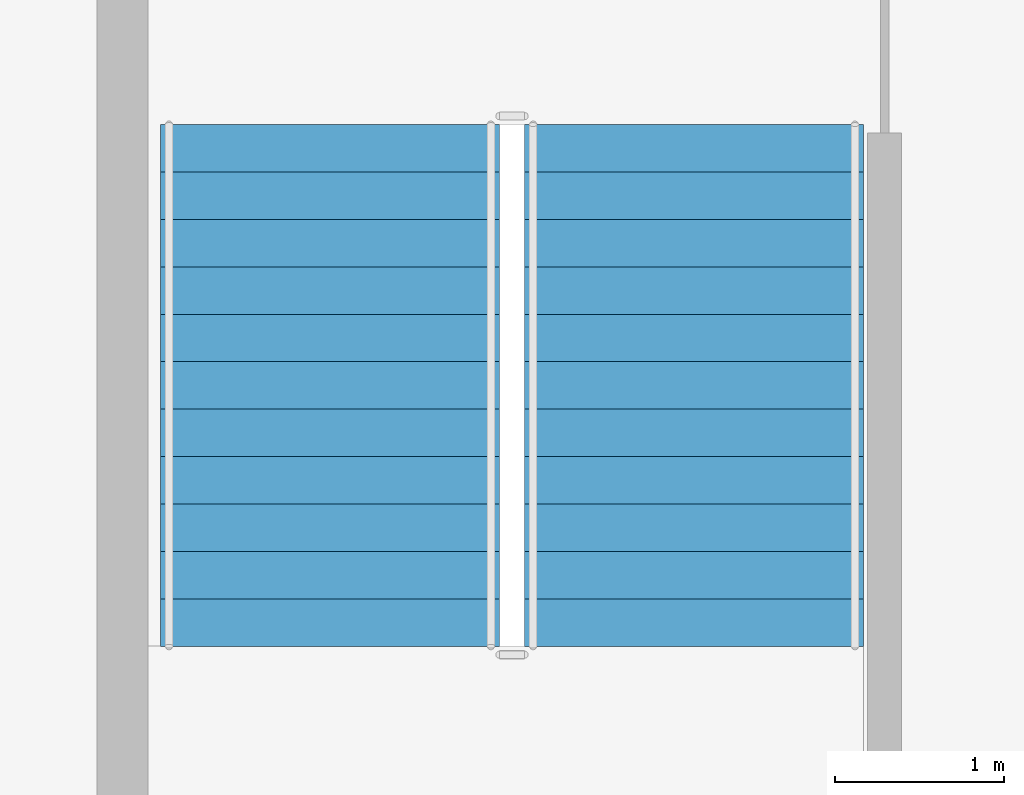
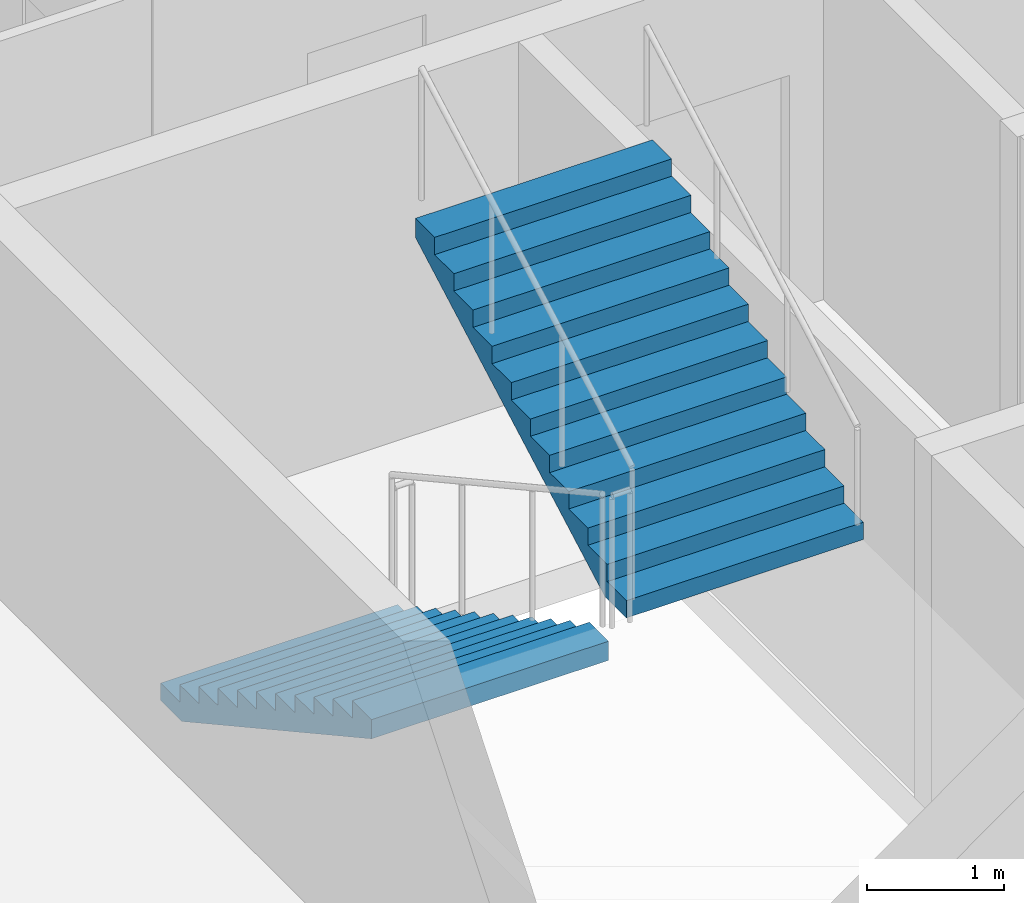
# One storey, part 7 of 11: 2 stair flights, 1 element without a shape of its own.
"""IFC4 building model written with IfcOpenShell, lengths in metres."""

from ifc_helpers import new_model, si_unit, direction, frame, origin, place, context, subcontext, project, spatial, polygons, material, type_object, element, aggregate, save


model = new_model("IFC4")

# Units and contexts
model_context = context("Model", 3, precision=1e-05, world=origin(), true_north=direction((0.0, 1.0)))
body_context = subcontext(model_context, "Body", "Model", "MODEL_VIEW")
ifc_project = project(units=[si_unit("LENGTHUNIT", "METRE"), si_unit("AREAUNIT", "SQUARE_METRE"), si_unit("VOLUMEUNIT", "CUBIC_METRE"), si_unit("PLANEANGLEUNIT", "RADIAN"), si_unit("MASSUNIT", "GRAM", prefix="KILO")], contexts=[model_context])

# Site, building, storey
site_placement = place(None, origin())
site = spatial("IfcSite", under=ifc_project, at=site_placement, CompositionType="ELEMENT")
building_placement = place(site_placement, origin())
building = spatial("IfcBuilding", under=site, at=building_placement, Name="Caravel Reach Hotel and Residences", CompositionType="ELEMENT")
storey_placement = place(building_placement, frame((0.0, 0.0, 301.89990234375)))
storey = spatial("IfcBuildingStorey", under=building, at=storey_placement, Name="L77", CompositionType="ELEMENT", Elevation=301.89990234375)

# Stair, stair flights
ifc_material_1 = material(Name="Concrete C40", Category="concrete")
stair_type = type_object("IfcStairType", Name="Core stair", PredefinedType="HALF_TURN_STAIR", material=ifc_material_1)
stair_placement = place(storey_placement, origin())
stair = element("IfcStair", 1, at=stair_placement, inside=storey, type_object=stair_type, Name="L77 Exit stair A", PredefinedType="HALF_TURN_STAIR")
ifc_material_2 = material(Name="Concrete C40", Category="concrete")
stair_flight_type = type_object("IfcStairFlightType", Name="Core stair flight", PredefinedType="STRAIGHT", material=ifc_material_2)
stair_flight_1_placement = place(storey_placement, frame((19.22509765625, 29.35009765625, 0.0), z_axis=(0.0, 0.0, 1.0), x_axis=(0.0, -1.0, 0.0)))
stair_flight_1 = element("IfcStairFlight", 2, at=stair_flight_1_placement, type_object=stair_flight_type, Name="ST-A flight 1", NumberOfRisers=12, NumberOfTreads=11, PredefinedType="STRAIGHT", RiserHeight=0.154166667, TreadLength=0.28, context=body_context, shape_type="Tessellation", body=[
    polygons([(0.3107950034306102, 1.0, 0.0), (0.3107950034306102, 0.6666666666666667, 0.0), (0.3107950034306102, 0.33333333333333337, 0.0), (0.3107950034306102, 0.0, 0.0), (0.3107950034306102, -0.33333333333333326, 0.0), (0.3107950034306102, -0.6666666666666667, 0.0), (0.3107950034306102, -1.0, 0.0), (3.081, 1.0, 1.524711087717319), (3.081, 0.6666666666666667, 1.524711087717319), (3.081, 0.33333333333333337, 1.524711087717319), (3.081, 0.0, 1.524711087717319), (3.081, -0.33333333333333326, 1.524711087717319), (3.081, -0.6666666666666667, 1.524711087717319), (3.081, -1.0, 1.524711087717319), (3.081, 1.0, 1.695833337), (3.081, 0.6666666666666667, 1.695833337), (3.081, 0.33333333333333337, 1.695833337), (3.081, 0.0, 1.695833337), (3.081, -0.33333333333333326, 1.695833337), (3.081, -0.6666666666666667, 1.695833337), (3.081, -1.0, 1.695833337), (2.8000000000000003, 1.0, 1.695833337), (2.8000000000000003, 0.6666666666666667, 1.695833337), (2.8000000000000003, 0.33333333333333337, 1.695833337), (2.8000000000000003, 0.0, 1.695833337), (2.8000000000000003, -0.33333333333333326, 1.695833337), (2.8000000000000003, -0.6666666666666667, 1.695833337), (2.8000000000000003, -1.0, 1.695833337), (2.8000000000000003, 1.0, 1.5416666700000001), (2.8000000000000003, 0.6666666666666667, 1.5416666700000001), (2.8000000000000003, 0.33333333333333337, 1.5416666700000001), (2.8000000000000003, 0.0, 1.5416666700000001), (2.8000000000000003, -0.33333333333333326, 1.5416666700000001), (2.8000000000000003, -0.6666666666666667, 1.5416666700000001), (2.8000000000000003, -1.0, 1.5416666700000001), (2.5200000000000005, 1.0, 1.5416666700000001), (2.5200000000000005, 0.6666666666666667, 1.5416666700000001), (2.5200000000000005, 0.33333333333333337, 1.5416666700000001), (2.5200000000000005, 0.0, 1.5416666700000001), (2.5200000000000005, -0.33333333333333326, 1.5416666700000001), (2.5200000000000005, -0.6666666666666667, 1.5416666700000001), (2.5200000000000005, -1.0, 1.5416666700000001), (2.5200000000000005, 1.0, 1.387500003), (2.5200000000000005, 0.6666666666666667, 1.387500003), (2.5200000000000005, 0.33333333333333337, 1.387500003), (2.5200000000000005, 0.0, 1.387500003), (2.5200000000000005, -0.33333333333333326, 1.387500003), (2.5200000000000005, -0.6666666666666667, 1.387500003), (2.5200000000000005, -1.0, 1.387500003), (2.24, 1.0, 1.387500003), (2.24, 0.6666666666666667, 1.387500003), (2.24, 0.33333333333333337, 1.387500003), (2.24, 0.0, 1.387500003), (2.24, -0.33333333333333326, 1.387500003), (2.24, -0.6666666666666667, 1.387500003), (2.24, -1.0, 1.387500003), (2.24, 1.0, 1.233333336), (2.24, 0.6666666666666667, 1.233333336), (2.24, 0.33333333333333337, 1.233333336), (2.24, 0.0, 1.233333336), (2.24, -0.33333333333333326, 1.233333336), (2.24, -0.6666666666666667, 1.233333336), (2.24, -1.0, 1.233333336), (1.9600000000000002, 1.0, 1.233333336), (1.9600000000000002, 0.6666666666666667, 1.233333336), (1.9600000000000002, 0.33333333333333337, 1.233333336), (1.9600000000000002, 0.0, 1.233333336), (1.9600000000000002, -0.33333333333333326, 1.233333336), (1.9600000000000002, -0.6666666666666667, 1.233333336), (1.9600000000000002, -1.0, 1.233333336), (1.9600000000000002, 1.0, 1.0791666690000001), (1.9600000000000002, 0.6666666666666667, 1.0791666690000001), (1.9600000000000002, 0.33333333333333337, 1.0791666690000001), (1.9600000000000002, 0.0, 1.0791666690000001), (1.9600000000000002, -0.33333333333333326, 1.0791666690000001), (1.9600000000000002, -0.6666666666666667, 1.0791666690000001), (1.9600000000000002, -1.0, 1.0791666690000001), (1.6800000000000002, 1.0, 1.0791666690000001), (1.6800000000000002, 0.6666666666666667, 1.0791666690000001), (1.6800000000000002, 0.33333333333333337, 1.0791666690000001), (1.6800000000000002, 0.0, 1.0791666690000001), (1.6800000000000002, -0.33333333333333326, 1.0791666690000001), (1.6800000000000002, -0.6666666666666667, 1.0791666690000001), (1.6800000000000002, -1.0, 1.0791666690000001), (1.6800000000000002, 1.0, 0.925000002), (1.6800000000000002, 0.6666666666666667, 0.925000002), (1.6800000000000002, 0.33333333333333337, 0.925000002), (1.6800000000000002, 0.0, 0.925000002), (1.6800000000000002, -0.33333333333333326, 0.925000002), (1.6800000000000002, -0.6666666666666667, 0.925000002), (1.6800000000000002, -1.0, 0.925000002), (1.4000000000000001, 1.0, 0.925000002), (1.4000000000000001, 0.6666666666666667, 0.925000002), (1.4000000000000001, 0.33333333333333337, 0.925000002), (1.4000000000000001, 0.0, 0.925000002), (1.4000000000000001, -0.33333333333333326, 0.925000002), (1.4000000000000001, -0.6666666666666667, 0.925000002), (1.4000000000000001, -1.0, 0.925000002), (1.4000000000000001, 1.0, 0.7708333350000001), (1.4000000000000001, 0.6666666666666667, 0.7708333350000001), (1.4000000000000001, 0.33333333333333337, 0.7708333350000001), (1.4000000000000001, 0.0, 0.7708333350000001), (1.4000000000000001, -0.33333333333333326, 0.7708333350000001), (1.4000000000000001, -0.6666666666666667, 0.7708333350000001), (1.4000000000000001, -1.0, 0.7708333350000001), (1.12, 1.0, 0.7708333350000001), (1.12, 0.6666666666666667, 0.7708333350000001), (1.12, 0.33333333333333337, 0.7708333350000001), (1.12, 0.0, 0.7708333350000001), (1.12, -0.33333333333333326, 0.7708333350000001), (1.12, -0.6666666666666667, 0.7708333350000001), (1.12, -1.0, 0.7708333350000001), (1.12, 1.0, 0.616666668), (1.12, 0.6666666666666667, 0.616666668), (1.12, 0.33333333333333337, 0.616666668), (1.12, 0.0, 0.616666668), (1.12, -0.33333333333333326, 0.616666668), (1.12, -0.6666666666666667, 0.616666668), (1.12, -1.0, 0.616666668), (0.8400000000000001, 1.0, 0.616666668), (0.8400000000000001, 0.6666666666666667, 0.616666668), (0.8400000000000001, 0.33333333333333337, 0.616666668), (0.8400000000000001, 0.0, 0.616666668), (0.8400000000000001, -0.33333333333333326, 0.616666668), (0.8400000000000001, -0.6666666666666667, 0.616666668), (0.8400000000000001, -1.0, 0.616666668), (0.8400000000000001, 1.0, 0.462500001), (0.8400000000000001, 0.6666666666666667, 0.462500001), (0.8400000000000001, 0.33333333333333337, 0.462500001), (0.8400000000000001, 0.0, 0.462500001), (0.8400000000000001, -0.33333333333333326, 0.462500001), (0.8400000000000001, -0.6666666666666667, 0.462500001), (0.8400000000000001, -1.0, 0.462500001), (0.56, 1.0, 0.462500001), (0.56, 0.6666666666666667, 0.462500001), (0.56, 0.33333333333333337, 0.462500001), (0.56, 0.0, 0.462500001), (0.56, -0.33333333333333326, 0.462500001), (0.56, -0.6666666666666667, 0.462500001), (0.56, -1.0, 0.462500001), (0.56, 1.0, 0.308333334), (0.56, 0.6666666666666667, 0.308333334), (0.56, 0.33333333333333337, 0.308333334), (0.56, 0.0, 0.308333334), (0.56, -0.33333333333333326, 0.308333334), (0.56, -0.6666666666666667, 0.308333334), (0.56, -1.0, 0.308333334), (0.28, 1.0, 0.308333334), (0.28, 0.6666666666666667, 0.308333334), (0.28, 0.33333333333333337, 0.308333334), (0.28, 0.0, 0.308333334), (0.28, -0.33333333333333326, 0.308333334), (0.28, -0.6666666666666667, 0.308333334), (0.28, -1.0, 0.308333334), (0.28, 1.0, 0.154166667), (0.28, 0.6666666666666667, 0.154166667), (0.28, 0.33333333333333337, 0.154166667), (0.28, 0.0, 0.154166667), (0.28, -0.33333333333333326, 0.154166667), (0.28, -0.6666666666666667, 0.154166667), (0.28, -1.0, 0.154166667), (-0.001, 1.0, 0.154166667), (-0.001, 0.6666666666666667, 0.154166667), (-0.001, 0.33333333333333337, 0.154166667), (-0.001, 0.0, 0.154166667), (-0.001, -0.33333333333333326, 0.154166667), (-0.001, -0.6666666666666667, 0.154166667), (-0.001, -1.0, 0.154166667), (-0.001, 1.0, 0.0), (-0.001, 0.6666666666666667, 0.0), (-0.001, 0.33333333333333337, 0.0), (-0.001, 0.0, 0.0), (-0.001, -0.33333333333333326, 0.0), (-0.001, -0.6666666666666667, 0.0), (-0.001, -1.0, 0.0)], [[[169, 162, 155, 148, 141, 134, 127, 120, 113, 106, 99, 92, 85, 78, 71, 64, 57, 50, 43, 36, 29, 22, 15, 8, 1]], [[7, 14, 21, 28, 35, 42, 49, 56, 63, 70, 77, 84, 91, 98, 105, 112, 119, 126, 133, 140, 147, 154, 161, 168, 175]], [[1, 8, 9, 2]], [[2, 9, 10, 3]], [[3, 10, 11, 4]], [[4, 11, 12, 5]], [[5, 12, 13, 6]], [[6, 13, 14, 7]], [[8, 15, 16, 9]], [[9, 16, 17, 10]], [[10, 17, 18, 11]], [[11, 18, 19, 12]], [[12, 19, 20, 13]], [[13, 20, 21, 14]], [[15, 22, 23, 16]], [[16, 23, 24, 17]], [[17, 24, 25, 18]], [[18, 25, 26, 19]], [[19, 26, 27, 20]], [[20, 27, 28, 21]], [[22, 29, 30, 23]], [[23, 30, 31, 24]], [[24, 31, 32, 25]], [[25, 32, 33, 26]], [[26, 33, 34, 27]], [[27, 34, 35, 28]], [[29, 36, 37, 30]], [[30, 37, 38, 31]], [[31, 38, 39, 32]], [[32, 39, 40, 33]], [[33, 40, 41, 34]], [[34, 41, 42, 35]], [[36, 43, 44, 37]], [[37, 44, 45, 38]], [[38, 45, 46, 39]], [[39, 46, 47, 40]], [[40, 47, 48, 41]], [[41, 48, 49, 42]], [[43, 50, 51, 44]], [[44, 51, 52, 45]], [[45, 52, 53, 46]], [[46, 53, 54, 47]], [[47, 54, 55, 48]], [[48, 55, 56, 49]], [[50, 57, 58, 51]], [[51, 58, 59, 52]], [[52, 59, 60, 53]], [[53, 60, 61, 54]], [[54, 61, 62, 55]], [[55, 62, 63, 56]], [[57, 64, 65, 58]], [[58, 65, 66, 59]], [[59, 66, 67, 60]], [[60, 67, 68, 61]], [[61, 68, 69, 62]], [[62, 69, 70, 63]], [[64, 71, 72, 65]], [[65, 72, 73, 66]], [[66, 73, 74, 67]], [[67, 74, 75, 68]], [[68, 75, 76, 69]], [[69, 76, 77, 70]], [[71, 78, 79, 72]], [[72, 79, 80, 73]], [[73, 80, 81, 74]], [[74, 81, 82, 75]], [[75, 82, 83, 76]], [[76, 83, 84, 77]], [[78, 85, 86, 79]], [[79, 86, 87, 80]], [[80, 87, 88, 81]], [[81, 88, 89, 82]], [[82, 89, 90, 83]], [[83, 90, 91, 84]], [[85, 92, 93, 86]], [[86, 93, 94, 87]], [[87, 94, 95, 88]], [[88, 95, 96, 89]], [[89, 96, 97, 90]], [[90, 97, 98, 91]], [[92, 99, 100, 93]], [[93, 100, 101, 94]], [[94, 101, 102, 95]], [[95, 102, 103, 96]], [[96, 103, 104, 97]], [[97, 104, 105, 98]], [[99, 106, 107, 100]], [[100, 107, 108, 101]], [[101, 108, 109, 102]], [[102, 109, 110, 103]], [[103, 110, 111, 104]], [[104, 111, 112, 105]], [[106, 113, 114, 107]], [[107, 114, 115, 108]], [[108, 115, 116, 109]], [[109, 116, 117, 110]], [[110, 117, 118, 111]], [[111, 118, 119, 112]], [[113, 120, 121, 114]], [[114, 121, 122, 115]], [[115, 122, 123, 116]], [[116, 123, 124, 117]], [[117, 124, 125, 118]], [[118, 125, 126, 119]], [[120, 127, 128, 121]], [[121, 128, 129, 122]], [[122, 129, 130, 123]], [[123, 130, 131, 124]], [[124, 131, 132, 125]], [[125, 132, 133, 126]], [[127, 134, 135, 128]], [[128, 135, 136, 129]], [[129, 136, 137, 130]], [[130, 137, 138, 131]], [[131, 138, 139, 132]], [[132, 139, 140, 133]], [[134, 141, 142, 135]], [[135, 142, 143, 136]], [[136, 143, 144, 137]], [[137, 144, 145, 138]], [[138, 145, 146, 139]], [[139, 146, 147, 140]], [[141, 148, 149, 142]], [[142, 149, 150, 143]], [[143, 150, 151, 144]], [[144, 151, 152, 145]], [[145, 152, 153, 146]], [[146, 153, 154, 147]], [[148, 155, 156, 149]], [[149, 156, 157, 150]], [[150, 157, 158, 151]], [[151, 158, 159, 152]], [[152, 159, 160, 153]], [[153, 160, 161, 154]], [[155, 162, 163, 156]], [[156, 163, 164, 157]], [[157, 164, 165, 158]], [[158, 165, 166, 159]], [[159, 166, 167, 160]], [[160, 167, 168, 161]], [[162, 169, 170, 163]], [[163, 170, 171, 164]], [[164, 171, 172, 165]], [[165, 172, 173, 166]], [[166, 173, 174, 167]], [[167, 174, 175, 168]], [[169, 1, 2, 170]], [[170, 2, 3, 171]], [[171, 3, 4, 172]], [[172, 4, 5, 173]], [[173, 5, 6, 174]], [[174, 6, 7, 175]]], closed=True),
])
stair_flight_2_placement = place(storey_placement, frame((21.375, 26.27001953125, 1.85009765625), z_axis=(0.0, 0.0, 1.0), x_axis=(0.0, 1.0, 0.0)))
stair_flight_2 = element("IfcStairFlight", 3, at=stair_flight_2_placement, type_object=stair_flight_type, Name="ST-A flight 2", NumberOfRisers=12, NumberOfTreads=11, PredefinedType="STRAIGHT", RiserHeight=0.154166667, TreadLength=0.28, context=body_context, shape_type="Tessellation", body=[
    polygons([(0.3107950034306102, 1.0, 0.0), (0.3107950034306102, 0.6666666666666667, 0.0), (0.3107950034306102, 0.33333333333333337, 0.0), (0.3107950034306102, 0.0, 0.0), (0.3107950034306102, -0.33333333333333326, 0.0), (0.3107950034306102, -0.6666666666666667, 0.0), (0.3107950034306102, -1.0, 0.0), (3.081, 1.0, 1.524711087717319), (3.081, 0.6666666666666667, 1.524711087717319), (3.081, 0.33333333333333337, 1.524711087717319), (3.081, 0.0, 1.524711087717319), (3.081, -0.33333333333333326, 1.524711087717319), (3.081, -0.6666666666666667, 1.524711087717319), (3.081, -1.0, 1.524711087717319), (3.081, 1.0, 1.695833337), (3.081, 0.6666666666666667, 1.695833337), (3.081, 0.33333333333333337, 1.695833337), (3.081, 0.0, 1.695833337), (3.081, -0.33333333333333326, 1.695833337), (3.081, -0.6666666666666667, 1.695833337), (3.081, -1.0, 1.695833337), (2.8000000000000003, 1.0, 1.695833337), (2.8000000000000003, 0.6666666666666667, 1.695833337), (2.8000000000000003, 0.33333333333333337, 1.695833337), (2.8000000000000003, 0.0, 1.695833337), (2.8000000000000003, -0.33333333333333326, 1.695833337), (2.8000000000000003, -0.6666666666666667, 1.695833337), (2.8000000000000003, -1.0, 1.695833337), (2.8000000000000003, 1.0, 1.5416666700000001), (2.8000000000000003, 0.6666666666666667, 1.5416666700000001), (2.8000000000000003, 0.33333333333333337, 1.5416666700000001), (2.8000000000000003, 0.0, 1.5416666700000001), (2.8000000000000003, -0.33333333333333326, 1.5416666700000001), (2.8000000000000003, -0.6666666666666667, 1.5416666700000001), (2.8000000000000003, -1.0, 1.5416666700000001), (2.5200000000000005, 1.0, 1.5416666700000001), (2.5200000000000005, 0.6666666666666667, 1.5416666700000001), (2.5200000000000005, 0.33333333333333337, 1.5416666700000001), (2.5200000000000005, 0.0, 1.5416666700000001), (2.5200000000000005, -0.33333333333333326, 1.5416666700000001), (2.5200000000000005, -0.6666666666666667, 1.5416666700000001), (2.5200000000000005, -1.0, 1.5416666700000001), (2.5200000000000005, 1.0, 1.387500003), (2.5200000000000005, 0.6666666666666667, 1.387500003), (2.5200000000000005, 0.33333333333333337, 1.387500003), (2.5200000000000005, 0.0, 1.387500003), (2.5200000000000005, -0.33333333333333326, 1.387500003), (2.5200000000000005, -0.6666666666666667, 1.387500003), (2.5200000000000005, -1.0, 1.387500003), (2.24, 1.0, 1.387500003), (2.24, 0.6666666666666667, 1.387500003), (2.24, 0.33333333333333337, 1.387500003), (2.24, 0.0, 1.387500003), (2.24, -0.33333333333333326, 1.387500003), (2.24, -0.6666666666666667, 1.387500003), (2.24, -1.0, 1.387500003), (2.24, 1.0, 1.233333336), (2.24, 0.6666666666666667, 1.233333336), (2.24, 0.33333333333333337, 1.233333336), (2.24, 0.0, 1.233333336), (2.24, -0.33333333333333326, 1.233333336), (2.24, -0.6666666666666667, 1.233333336), (2.24, -1.0, 1.233333336), (1.9600000000000002, 1.0, 1.233333336), (1.9600000000000002, 0.6666666666666667, 1.233333336), (1.9600000000000002, 0.33333333333333337, 1.233333336), (1.9600000000000002, 0.0, 1.233333336), (1.9600000000000002, -0.33333333333333326, 1.233333336), (1.9600000000000002, -0.6666666666666667, 1.233333336), (1.9600000000000002, -1.0, 1.233333336), (1.9600000000000002, 1.0, 1.0791666690000001), (1.9600000000000002, 0.6666666666666667, 1.0791666690000001), (1.9600000000000002, 0.33333333333333337, 1.0791666690000001), (1.9600000000000002, 0.0, 1.0791666690000001), (1.9600000000000002, -0.33333333333333326, 1.0791666690000001), (1.9600000000000002, -0.6666666666666667, 1.0791666690000001), (1.9600000000000002, -1.0, 1.0791666690000001), (1.6800000000000002, 1.0, 1.0791666690000001), (1.6800000000000002, 0.6666666666666667, 1.0791666690000001), (1.6800000000000002, 0.33333333333333337, 1.0791666690000001), (1.6800000000000002, 0.0, 1.0791666690000001), (1.6800000000000002, -0.33333333333333326, 1.0791666690000001), (1.6800000000000002, -0.6666666666666667, 1.0791666690000001), (1.6800000000000002, -1.0, 1.0791666690000001), (1.6800000000000002, 1.0, 0.925000002), (1.6800000000000002, 0.6666666666666667, 0.925000002), (1.6800000000000002, 0.33333333333333337, 0.925000002), (1.6800000000000002, 0.0, 0.925000002), (1.6800000000000002, -0.33333333333333326, 0.925000002), (1.6800000000000002, -0.6666666666666667, 0.925000002), (1.6800000000000002, -1.0, 0.925000002), (1.4000000000000001, 1.0, 0.925000002), (1.4000000000000001, 0.6666666666666667, 0.925000002), (1.4000000000000001, 0.33333333333333337, 0.925000002), (1.4000000000000001, 0.0, 0.925000002), (1.4000000000000001, -0.33333333333333326, 0.925000002), (1.4000000000000001, -0.6666666666666667, 0.925000002), (1.4000000000000001, -1.0, 0.925000002), (1.4000000000000001, 1.0, 0.7708333350000001), (1.4000000000000001, 0.6666666666666667, 0.7708333350000001), (1.4000000000000001, 0.33333333333333337, 0.7708333350000001), (1.4000000000000001, 0.0, 0.7708333350000001), (1.4000000000000001, -0.33333333333333326, 0.7708333350000001), (1.4000000000000001, -0.6666666666666667, 0.7708333350000001), (1.4000000000000001, -1.0, 0.7708333350000001), (1.12, 1.0, 0.7708333350000001), (1.12, 0.6666666666666667, 0.7708333350000001), (1.12, 0.33333333333333337, 0.7708333350000001), (1.12, 0.0, 0.7708333350000001), (1.12, -0.33333333333333326, 0.7708333350000001), (1.12, -0.6666666666666667, 0.7708333350000001), (1.12, -1.0, 0.7708333350000001), (1.12, 1.0, 0.616666668), (1.12, 0.6666666666666667, 0.616666668), (1.12, 0.33333333333333337, 0.616666668), (1.12, 0.0, 0.616666668), (1.12, -0.33333333333333326, 0.616666668), (1.12, -0.6666666666666667, 0.616666668), (1.12, -1.0, 0.616666668), (0.8400000000000001, 1.0, 0.616666668), (0.8400000000000001, 0.6666666666666667, 0.616666668), (0.8400000000000001, 0.33333333333333337, 0.616666668), (0.8400000000000001, 0.0, 0.616666668), (0.8400000000000001, -0.33333333333333326, 0.616666668), (0.8400000000000001, -0.6666666666666667, 0.616666668), (0.8400000000000001, -1.0, 0.616666668), (0.8400000000000001, 1.0, 0.462500001), (0.8400000000000001, 0.6666666666666667, 0.462500001), (0.8400000000000001, 0.33333333333333337, 0.462500001), (0.8400000000000001, 0.0, 0.462500001), (0.8400000000000001, -0.33333333333333326, 0.462500001), (0.8400000000000001, -0.6666666666666667, 0.462500001), (0.8400000000000001, -1.0, 0.462500001), (0.56, 1.0, 0.462500001), (0.56, 0.6666666666666667, 0.462500001), (0.56, 0.33333333333333337, 0.462500001), (0.56, 0.0, 0.462500001), (0.56, -0.33333333333333326, 0.462500001), (0.56, -0.6666666666666667, 0.462500001), (0.56, -1.0, 0.462500001), (0.56, 1.0, 0.308333334), (0.56, 0.6666666666666667, 0.308333334), (0.56, 0.33333333333333337, 0.308333334), (0.56, 0.0, 0.308333334), (0.56, -0.33333333333333326, 0.308333334), (0.56, -0.6666666666666667, 0.308333334), (0.56, -1.0, 0.308333334), (0.28, 1.0, 0.308333334), (0.28, 0.6666666666666667, 0.308333334), (0.28, 0.33333333333333337, 0.308333334), (0.28, 0.0, 0.308333334), (0.28, -0.33333333333333326, 0.308333334), (0.28, -0.6666666666666667, 0.308333334), (0.28, -1.0, 0.308333334), (0.28, 1.0, 0.154166667), (0.28, 0.6666666666666667, 0.154166667), (0.28, 0.33333333333333337, 0.154166667), (0.28, 0.0, 0.154166667), (0.28, -0.33333333333333326, 0.154166667), (0.28, -0.6666666666666667, 0.154166667), (0.28, -1.0, 0.154166667), (-0.001, 1.0, 0.154166667), (-0.001, 0.6666666666666667, 0.154166667), (-0.001, 0.33333333333333337, 0.154166667), (-0.001, 0.0, 0.154166667), (-0.001, -0.33333333333333326, 0.154166667), (-0.001, -0.6666666666666667, 0.154166667), (-0.001, -1.0, 0.154166667), (-0.001, 1.0, 0.0), (-0.001, 0.6666666666666667, 0.0), (-0.001, 0.33333333333333337, 0.0), (-0.001, 0.0, 0.0), (-0.001, -0.33333333333333326, 0.0), (-0.001, -0.6666666666666667, 0.0), (-0.001, -1.0, 0.0)], [[[169, 162, 155, 148, 141, 134, 127, 120, 113, 106, 99, 92, 85, 78, 71, 64, 57, 50, 43, 36, 29, 22, 15, 8, 1]], [[7, 14, 21, 28, 35, 42, 49, 56, 63, 70, 77, 84, 91, 98, 105, 112, 119, 126, 133, 140, 147, 154, 161, 168, 175]], [[1, 8, 9, 2]], [[2, 9, 10, 3]], [[3, 10, 11, 4]], [[4, 11, 12, 5]], [[5, 12, 13, 6]], [[6, 13, 14, 7]], [[8, 15, 16, 9]], [[9, 16, 17, 10]], [[10, 17, 18, 11]], [[11, 18, 19, 12]], [[12, 19, 20, 13]], [[13, 20, 21, 14]], [[15, 22, 23, 16]], [[16, 23, 24, 17]], [[17, 24, 25, 18]], [[18, 25, 26, 19]], [[19, 26, 27, 20]], [[20, 27, 28, 21]], [[22, 29, 30, 23]], [[23, 30, 31, 24]], [[24, 31, 32, 25]], [[25, 32, 33, 26]], [[26, 33, 34, 27]], [[27, 34, 35, 28]], [[29, 36, 37, 30]], [[30, 37, 38, 31]], [[31, 38, 39, 32]], [[32, 39, 40, 33]], [[33, 40, 41, 34]], [[34, 41, 42, 35]], [[36, 43, 44, 37]], [[37, 44, 45, 38]], [[38, 45, 46, 39]], [[39, 46, 47, 40]], [[40, 47, 48, 41]], [[41, 48, 49, 42]], [[43, 50, 51, 44]], [[44, 51, 52, 45]], [[45, 52, 53, 46]], [[46, 53, 54, 47]], [[47, 54, 55, 48]], [[48, 55, 56, 49]], [[50, 57, 58, 51]], [[51, 58, 59, 52]], [[52, 59, 60, 53]], [[53, 60, 61, 54]], [[54, 61, 62, 55]], [[55, 62, 63, 56]], [[57, 64, 65, 58]], [[58, 65, 66, 59]], [[59, 66, 67, 60]], [[60, 67, 68, 61]], [[61, 68, 69, 62]], [[62, 69, 70, 63]], [[64, 71, 72, 65]], [[65, 72, 73, 66]], [[66, 73, 74, 67]], [[67, 74, 75, 68]], [[68, 75, 76, 69]], [[69, 76, 77, 70]], [[71, 78, 79, 72]], [[72, 79, 80, 73]], [[73, 80, 81, 74]], [[74, 81, 82, 75]], [[75, 82, 83, 76]], [[76, 83, 84, 77]], [[78, 85, 86, 79]], [[79, 86, 87, 80]], [[80, 87, 88, 81]], [[81, 88, 89, 82]], [[82, 89, 90, 83]], [[83, 90, 91, 84]], [[85, 92, 93, 86]], [[86, 93, 94, 87]], [[87, 94, 95, 88]], [[88, 95, 96, 89]], [[89, 96, 97, 90]], [[90, 97, 98, 91]], [[92, 99, 100, 93]], [[93, 100, 101, 94]], [[94, 101, 102, 95]], [[95, 102, 103, 96]], [[96, 103, 104, 97]], [[97, 104, 105, 98]], [[99, 106, 107, 100]], [[100, 107, 108, 101]], [[101, 108, 109, 102]], [[102, 109, 110, 103]], [[103, 110, 111, 104]], [[104, 111, 112, 105]], [[106, 113, 114, 107]], [[107, 114, 115, 108]], [[108, 115, 116, 109]], [[109, 116, 117, 110]], [[110, 117, 118, 111]], [[111, 118, 119, 112]], [[113, 120, 121, 114]], [[114, 121, 122, 115]], [[115, 122, 123, 116]], [[116, 123, 124, 117]], [[117, 124, 125, 118]], [[118, 125, 126, 119]], [[120, 127, 128, 121]], [[121, 128, 129, 122]], [[122, 129, 130, 123]], [[123, 130, 131, 124]], [[124, 131, 132, 125]], [[125, 132, 133, 126]], [[127, 134, 135, 128]], [[128, 135, 136, 129]], [[129, 136, 137, 130]], [[130, 137, 138, 131]], [[131, 138, 139, 132]], [[132, 139, 140, 133]], [[134, 141, 142, 135]], [[135, 142, 143, 136]], [[136, 143, 144, 137]], [[137, 144, 145, 138]], [[138, 145, 146, 139]], [[139, 146, 147, 140]], [[141, 148, 149, 142]], [[142, 149, 150, 143]], [[143, 150, 151, 144]], [[144, 151, 152, 145]], [[145, 152, 153, 146]], [[146, 153, 154, 147]], [[148, 155, 156, 149]], [[149, 156, 157, 150]], [[150, 157, 158, 151]], [[151, 158, 159, 152]], [[152, 159, 160, 153]], [[153, 160, 161, 154]], [[155, 162, 163, 156]], [[156, 163, 164, 157]], [[157, 164, 165, 158]], [[158, 165, 166, 159]], [[159, 166, 167, 160]], [[160, 167, 168, 161]], [[162, 169, 170, 163]], [[163, 170, 171, 164]], [[164, 171, 172, 165]], [[165, 172, 173, 166]], [[166, 173, 174, 167]], [[167, 174, 175, 168]], [[169, 1, 2, 170]], [[170, 2, 3, 171]], [[171, 3, 4, 172]], [[172, 4, 5, 173]], [[173, 5, 6, 174]], [[174, 6, 7, 175]]], closed=True),
])
aggregate(stair, [stair_flight_1, stair_flight_2])

save(model, "model.ifc")
